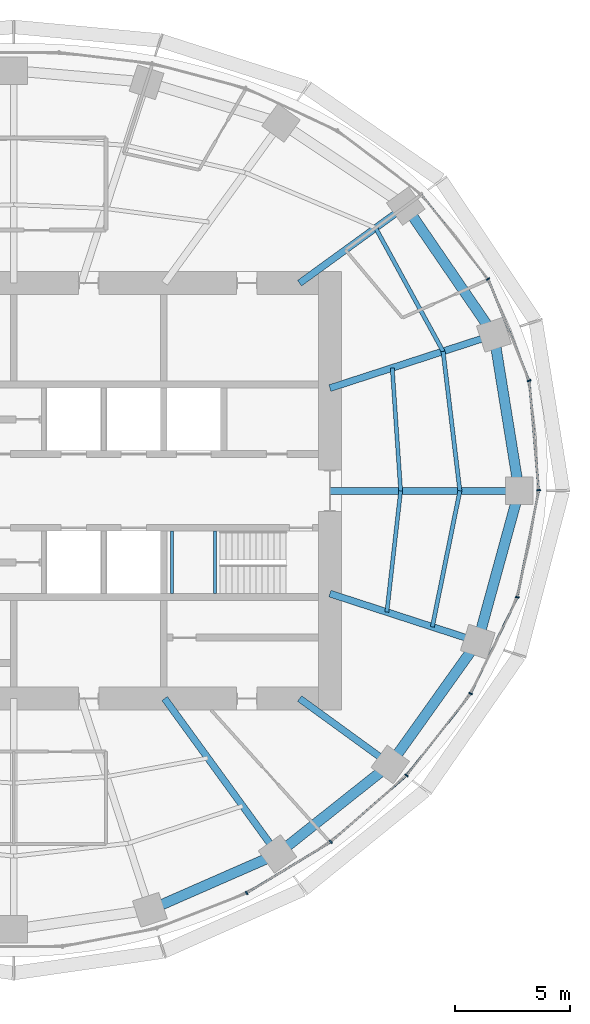
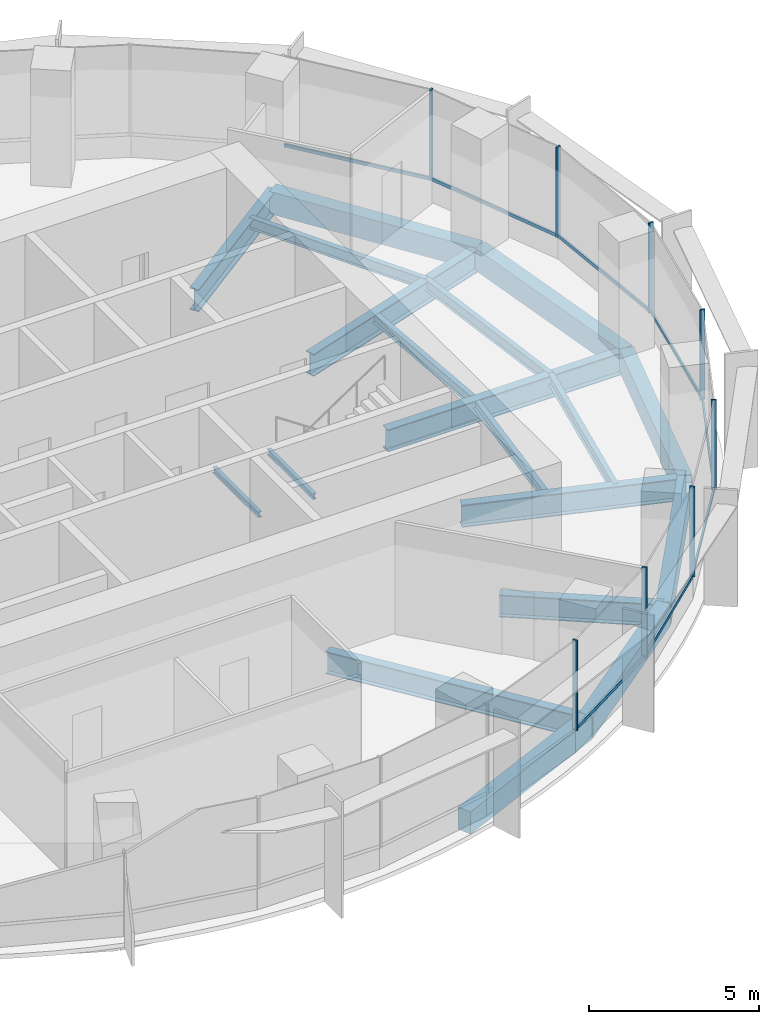
# One storey, part 5 of 13: 19 beams, 16 members, 2 elements without a shape of their own.
"""IFC4 building model written with IfcOpenShell, lengths in metres."""

from ifc_helpers import new_model, si_unit, direction, frame, origin, origin_2d, place, context, subcontext, project, spatial, rectangle, i_section, extrude, material, material_profile, profile_set, type_object, element, aggregate, save


model = new_model("IFC4")

# Units and contexts
model_context = context("Model", 3, precision=1e-05, world=origin(), true_north=direction((0.0, 1.0)))
body_context = subcontext(model_context, "Body", "Model", "MODEL_VIEW")
ifc_project = project(units=[si_unit("LENGTHUNIT", "METRE"), si_unit("AREAUNIT", "SQUARE_METRE"), si_unit("VOLUMEUNIT", "CUBIC_METRE"), si_unit("PLANEANGLEUNIT", "RADIAN"), si_unit("MASSUNIT", "GRAM", prefix="KILO")], contexts=[model_context])

# Site, building, storey
site_placement = place(None, origin())
site = spatial("IfcSite", under=ifc_project, at=site_placement, CompositionType="ELEMENT")
building_placement = place(site_placement, origin())
building = spatial("IfcBuilding", under=site, at=building_placement, Name="Marramba Exchange Tower", CompositionType="ELEMENT")
storey_placement = place(building_placement, frame((0.0, 0.0, 264.39990234375)))
storey = spatial("IfcBuildingStorey", under=building, at=storey_placement, Name="L64", CompositionType="ELEMENT", Elevation=264.39990234375)

# Curtain wall, members
ifc_material_1 = material(Name="Aluminium framing, bronze anodised", Category="aluminium")
curtain_wall_type = type_object("IfcCurtainWallType", Name="Executive floor ribbon curtain wall", PredefinedType="USERDEFINED", material=ifc_material_1)
curtain_wall_1_placement = place(storey_placement, origin())
curtain_wall_1 = element("IfcCurtainWall", 1, at=curtain_wall_1_placement, inside=storey, type_object=curtain_wall_type, Name="Curtain wall CW5 L64 F01-F05", ObjectType="RIBBON CURTAIN WALL", PredefinedType="USERDEFINED")
ifc_material_2 = material(Name="Aluminium mullion, bronze anodised", Category="aluminium")
ifc_material_profile_1 = material_profile(ifc_material_2, rectangle(XDim=0.159912109375, YDim=0.06005859375, at=origin_2d()), Name="CW5 mullion 60x160")
ifc_profile_set_1 = profile_set([ifc_material_profile_1], Name="Aluminium mullion, bronze anodised")
member_type_1 = type_object("IfcMemberType", Name="Executive floor ribbon curtain wall mullion", PredefinedType="MULLION", material=ifc_profile_set_1)
member_1_placement = place(storey_placement, frame((22.747314453125, 0.02978515625, 0.800048828125), z_axis=(0.0, 0.0, 1.0), x_axis=(-0.996331816632, -0.085574009881, 0.0)))
member_1 = element("IfcMember", 2, at=member_1_placement, type_object=member_type_1, Name="CW5 mullion 1", PredefinedType="MULLION", context=body_context, shape_type="SweptSolid", body=[
    extrude(rectangle(XDim=0.159912109375, YDim=0.06005859375, at=origin_2d()), origin(), (0.0, 0.0, 1.0), 3.239990234375),
])
member_2_placement = place(storey_placement, frame((22.330810546875, 4.77685546875, 0.800048828125), z_axis=(0.0, 0.0, 1.0), x_axis=(-0.927838139977, -0.372983090774, 0.0)))
member_2 = element("IfcMember", 3, at=member_2_placement, type_object=member_type_1, Name="CW5 mullion 1", PredefinedType="MULLION", context=body_context, shape_type="SweptSolid", body=[
    extrude(rectangle(XDim=0.159912109375, YDim=0.06005859375, at=origin_2d()), origin(), (0.0, 0.0, 1.0), 3.239990234375),
])
member_3_placement = place(storey_placement, frame((20.551025390625, 9.181884765625, 0.800048828125), z_axis=(0.0, 0.0, 1.0), x_axis=(-0.786002861604, -0.618222857512, 0.0)))
member_3 = element("IfcMember", 4, at=member_3_placement, type_object=member_type_1, Name="CW5 mullion 1", PredefinedType="MULLION", context=body_context, shape_type="SweptSolid", body=[
    extrude(rectangle(XDim=0.159912109375, YDim=0.06005859375, at=origin_2d()), origin(), (0.0, 0.0, 1.0), 3.239990234375),
])

curtain_wall_2_placement = place(storey_placement, origin())
curtain_wall_2 = element("IfcCurtainWall", 5, at=curtain_wall_2_placement, inside=storey, type_object=curtain_wall_type, Name="Curtain wall CW5 L64 F26-F30", ObjectType="RIBBON CURTAIN WALL", PredefinedType="USERDEFINED")
member_4_placement = place(storey_placement, frame((10.09619140625, -17.42724609375, 0.800048828125), z_axis=(0.0, 0.0, 1.0), x_axis=(-0.519115121209, 0.854704329539, 0.0)))
member_4 = element("IfcMember", 6, at=member_4_placement, type_object=member_type_1, Name="CW5 mullion 1", PredefinedType="MULLION", context=body_context, shape_type="SweptSolid", body=[
    extrude(rectangle(XDim=0.159912109375, YDim=0.06005859375, at=origin_2d()), origin(), (0.0, 0.0, 1.0), 3.239990234375),
])
member_5_placement = place(storey_placement, frame((13.736083984375, -15.21044921875, 0.800048828125), z_axis=(0.0, 0.0, 1.0), x_axis=(-0.658305290779, 0.752751050569, 0.0)))
member_5 = element("IfcMember", 7, at=member_5_placement, type_object=member_type_1, Name="CW5 mullion 1", PredefinedType="MULLION", context=body_context, shape_type="SweptSolid", body=[
    extrude(rectangle(XDim=0.159912109375, YDim=0.06005859375, at=origin_2d()), origin(), (0.0, 0.0, 1.0), 3.239990234375),
])
member_6_placement = place(storey_placement, frame((17.021484375, -12.329833984375, 0.800048828125), z_axis=(0.0, 0.0, 1.0), x_axis=(-0.78594954734, 0.618290634763, 0.0)))
member_6 = element("IfcMember", 8, at=member_6_placement, type_object=member_type_1, Name="CW5 mullion 1", PredefinedType="MULLION", context=body_context, shape_type="SweptSolid", body=[
    extrude(rectangle(XDim=0.159912109375, YDim=0.06005859375, at=origin_2d()), origin(), (0.0, 0.0, 1.0), 3.239990234375),
])
member_7_placement = place(storey_placement, frame((19.802978515625, -8.783935546875, 0.800048828125), z_axis=(0.0, 0.0, 1.0), x_axis=(-0.89969718031, 0.436514585945, 0.0)))
member_7 = element("IfcMember", 9, at=member_7_placement, type_object=member_type_1, Name="CW5 mullion 1", PredefinedType="MULLION", context=body_context, shape_type="SweptSolid", body=[
    extrude(rectangle(XDim=0.159912109375, YDim=0.06005859375, at=origin_2d()), origin(), (0.0, 0.0, 1.0), 3.239990234375),
])
member_8_placement = place(storey_placement, frame((21.82080078125, -4.607421875, 0.800048828125), z_axis=(0.0, 0.0, 1.0), x_axis=(-0.980268514856, 0.19767053089, 0.0)))
member_8 = element("IfcMember", 10, at=member_8_placement, type_object=member_type_1, Name="CW5 mullion 1", PredefinedType="MULLION", context=body_context, shape_type="SweptSolid", body=[
    extrude(rectangle(XDim=0.159912109375, YDim=0.06005859375, at=origin_2d()), origin(), (0.0, 0.0, 1.0), 3.239990234375),
])

# Member
ifc_material_3 = material(Name="Aluminium transom, bronze anodised", Category="aluminium")
ifc_material_profile_2 = material_profile(ifc_material_3, rectangle(XDim=0.06005859375, YDim=0.1201171875, at=origin_2d()), Name="CW5 transom 60x120")
ifc_profile_set_2 = profile_set([ifc_material_profile_2], Name="Aluminium transom, bronze anodised")
member_type_2 = type_object("IfcMemberType", Name="Executive floor ribbon curtain wall transom", PredefinedType="USERDEFINED", material=ifc_profile_set_2)
member_9_placement = place(storey_placement, frame((22.744873046875, 0.059814453125, 0.830078125), z_axis=(-0.085590935521, 0.99633036276, 0.0), x_axis=(-0.99633036276, -0.085590935521, 0.0)))
member_9 = element("IfcMember", 11, at=member_9_placement, type_object=member_type_2, Name="CW5 sill transom", ObjectType="TRANSOM", PredefinedType="USERDEFINED", context=body_context, shape_type="SweptSolid", body=[
    extrude(rectangle(XDim=0.06005859375, YDim=0.1201171875, at=origin_2d()), origin(), (0.0, 0.0, 1.0), 4.70654296875),
])

member_10_placement = place(storey_placement, frame((22.31982421875, 4.8046875, 0.830078125), z_axis=(-0.37301385018, 0.927825774364, 0.0), x_axis=(-0.927825774364, -0.37301385018, 0.0)))
member_10 = element("IfcMember", 12, at=member_10_placement, type_object=member_type_2, Name="CW5 sill transom", ObjectType="TRANSOM", PredefinedType="USERDEFINED", context=body_context, shape_type="SweptSolid", body=[
    extrude(rectangle(XDim=0.06005859375, YDim=0.1201171875, at=origin_2d()), origin(), (0.0, 0.0, 1.0), 4.692138671875),
])

member_11_placement = place(storey_placement, frame((20.532470703125, 9.205322265625, 0.830078125), z_axis=(-0.618203819414, 0.78601783546, 0.0), x_axis=(-0.78601783546, -0.618203819414, 0.0)))
member_11 = element("IfcMember", 13, at=member_11_placement, type_object=member_type_2, Name="CW5 sill transom", ObjectType="TRANSOM", PredefinedType="USERDEFINED", context=body_context, shape_type="SweptSolid", body=[
    extrude(rectangle(XDim=0.06005859375, YDim=0.1201171875, at=origin_2d()), origin(), (0.0, 0.0, 1.0), 4.625),
])

aggregate(curtain_wall_1, [member_1, member_9, member_2, member_10, member_3, member_11])

member_12_placement = place(storey_placement, frame((10.121826171875, -17.41162109375, 0.830078125), z_axis=(0.854701897511, 0.519119125434, 0.0), x_axis=(-0.519119125434, 0.854701897511, 0.0)))
member_12 = element("IfcMember", 14, at=member_12_placement, type_object=member_type_2, Name="CW5 sill transom", ObjectType="TRANSOM", PredefinedType="USERDEFINED", context=body_context, shape_type="SweptSolid", body=[
    extrude(rectangle(XDim=0.06005859375, YDim=0.1201171875, at=origin_2d()), origin(), (0.0, 0.0, 1.0), 4.2021484375),
])

member_13_placement = place(storey_placement, frame((13.758544921875, -15.19091796875, 0.830078125), z_axis=(0.752741590247, 0.658316108198, 0.0), x_axis=(-0.658316108198, 0.752741590247, 0.0)))
member_13 = element("IfcMember", 15, at=member_13_placement, type_object=member_type_2, Name="CW5 sill transom", ObjectType="TRANSOM", PredefinedType="USERDEFINED", context=body_context, shape_type="SweptSolid", body=[
    extrude(rectangle(XDim=0.06005859375, YDim=0.1201171875, at=origin_2d()), origin(), (0.0, 0.0, 1.0), 4.31005859375),
])

member_14_placement = place(storey_placement, frame((17.0400390625, -12.30615234375, 0.830078125), z_axis=(0.618320881677, 0.785925751762, 0.0), x_axis=(-0.785925751762, 0.618320881677, 0.0)))
member_14 = element("IfcMember", 16, at=member_14_placement, type_object=member_type_2, Name="CW5 sill transom", ObjectType="TRANSOM", PredefinedType="USERDEFINED", context=body_context, shape_type="SweptSolid", body=[
    extrude(rectangle(XDim=0.06005859375, YDim=0.1201171875, at=origin_2d()), origin(), (0.0, 0.0, 1.0), 4.447021484375),
])

member_15_placement = place(storey_placement, frame((19.81591796875, -8.757080078125, 0.830078125), z_axis=(0.436519399678, 0.899694844769, 0.0), x_axis=(-0.899694844769, 0.436519399678, 0.0)))
member_15 = element("IfcMember", 17, at=member_15_placement, type_object=member_type_2, Name="CW5 sill transom", ObjectType="TRANSOM", PredefinedType="USERDEFINED", context=body_context, shape_type="SweptSolid", body=[
    extrude(rectangle(XDim=0.06005859375, YDim=0.1201171875, at=origin_2d()), origin(), (0.0, 0.0, 1.0), 4.579345703125),
])

member_16_placement = place(storey_placement, frame((21.826904296875, -4.578125, 0.830078125), z_axis=(0.197654002556, 0.980271847639, 0.0), x_axis=(-0.980271847639, 0.197654002556, 0.0)))
member_16 = element("IfcMember", 18, at=member_16_placement, type_object=member_type_2, Name="CW5 sill transom", ObjectType="TRANSOM", PredefinedType="USERDEFINED", context=body_context, shape_type="SweptSolid", body=[
    extrude(rectangle(XDim=0.06005859375, YDim=0.1201171875, at=origin_2d()), origin(), (0.0, 0.0, 1.0), 4.670166015625),
])

aggregate(curtain_wall_2, [member_4, member_12, member_5, member_13, member_6, member_14, member_7, member_15, member_8, member_16])

# Beams
ifc_material_4 = material(Name="Steel AS/NZS 3679.1 grade 300", Category="steel")
ifc_material_profile_3 = material_profile(ifc_material_4, i_section(OverallWidth=0.1708984375, OverallDepth=0.35595703125, WebThickness=0.00732421875, FlangeThickness=0.011474609375, FilletRadius=0.011474609375, at=origin_2d()), Name="360UB50.7")
ifc_profile_set_3 = profile_set([ifc_material_profile_3], Name="Steel AS/NZS 3679.1 grade 300")
beam_type_1 = type_object("IfcBeamType", Name="Floor joist 360UB50.7", PredefinedType="JOIST", material=ifc_profile_set_3)
beam_1_placement = place(storey_placement, frame((16.7666015625, 0.0, -0.337890625), z_axis=(-0.068096259546, 0.99767875563, 0.0), x_axis=(-0.99767875563, -0.068096259546, 0.0)))
element("IfcBeam", 19, at=beam_1_placement, inside=storey, type_object=beam_type_1, Name="Joist L64 bay 01 row 1", PredefinedType="JOIST", context=body_context, shape_type="SweptSolid", body=[
    extrude(i_section(OverallWidth=0.1708984375, OverallDepth=0.35595703125, WebThickness=0.00732421875, FlangeThickness=0.011474609375, FilletRadius=0.011474609375, at=origin_2d()), origin(), (0.0, 0.0, 1.0), 5.342041015625),
])
beam_2_placement = place(storey_placement, frame((16.169677734375, -5.25390625, -0.337890625), z_axis=(0.112888968594, 0.993607609054, 0.0), x_axis=(-0.993607609054, 0.112888968594, 0.0)))
element("IfcBeam", 20, at=beam_2_placement, inside=storey, type_object=beam_type_1, Name="Joist L64 bay 20 row 1", PredefinedType="JOIST", context=body_context, shape_type="SweptSolid", body=[
    extrude(i_section(OverallWidth=0.1708984375, OverallDepth=0.35595703125, WebThickness=0.00732421875, FlangeThickness=0.011474609375, FilletRadius=0.011474609375, at=origin_2d()), origin(), (0.0, 0.0, 1.0), 5.28759765625),
])
ifc_material_profile_4 = material_profile(ifc_material_4, i_section(OverallWidth=0.177978515625, OverallDepth=0.403076171875, WebThickness=0.007568359375, FlangeThickness=0.010986328125, FilletRadius=0.011474609375, at=origin_2d()), Name="410UB53.7")
ifc_profile_set_4 = profile_set([ifc_material_profile_4], Name="Steel AS/NZS 3679.1 grade 300")
beam_type_2 = type_object("IfcBeamType", Name="Floor joist 410UB53.7", PredefinedType="JOIST", material=ifc_profile_set_4)
beam_3_placement = place(storey_placement, frame((19.333251953125, 0.0, -0.361328125), z_axis=(-0.119523078538, 0.992831422597, 0.0), x_axis=(-0.992831422597, -0.119523078538, 0.0)))
element("IfcBeam", 21, at=beam_3_placement, inside=storey, type_object=beam_type_2, Name="Joist L64 bay 01 row 2", PredefinedType="JOIST", context=body_context, shape_type="SweptSolid", body=[
    extrude(i_section(OverallWidth=0.177978515625, OverallDepth=0.403076171875, WebThickness=0.007568359375, FlangeThickness=0.010986328125, FilletRadius=0.011474609375, at=origin_2d()), origin(), (0.0, 0.0, 1.0), 6.089111328125),
])
beam_4_placement = place(storey_placement, frame((18.60546875, 6.04541015625, -0.361328125), z_axis=(-0.479584443791, 0.877495732909, 0.0), x_axis=(-0.877495732909, -0.479584443791, 0.0)))
element("IfcBeam", 22, at=beam_4_placement, inside=storey, type_object=beam_type_2, Name="Joist L64 bay 02 row 2", PredefinedType="JOIST", context=body_context, shape_type="SweptSolid", body=[
    extrude(i_section(OverallWidth=0.177978515625, OverallDepth=0.403076171875, WebThickness=0.007568359375, FlangeThickness=0.010986328125, FilletRadius=0.011474609375, at=origin_2d()), origin(), (0.0, 0.0, 1.0), 6.094970703125),
])
beam_5_placement = place(storey_placement, frame((18.1396484375, -5.893798828125, -0.361328125), z_axis=(0.198489047047, 0.980103105904, 0.0), x_axis=(-0.980103105904, 0.198489047047, 0.0)))
element("IfcBeam", 23, at=beam_5_placement, inside=storey, type_object=beam_type_2, Name="Joist L64 bay 20 row 2", PredefinedType="JOIST", context=body_context, shape_type="SweptSolid", body=[
    extrude(i_section(OverallWidth=0.177978515625, OverallDepth=0.403076171875, WebThickness=0.007568359375, FlangeThickness=0.010986328125, FilletRadius=0.011474609375, at=origin_2d()), origin(), (0.0, 0.0, 1.0), 6.013427734375),
])
ifc_material_5 = material(Name="Steel AS/NZS 3679.2 grade 300", Category="steel")
ifc_material_profile_5 = material_profile(ifc_material_5, i_section(OverallWidth=0.300048828125, OverallDepth=0.800048828125, WebThickness=0.013916015625, FlangeThickness=0.031982421875, at=origin_2d()), Name="800WB192")
ifc_profile_set_5 = profile_set([ifc_material_profile_5], Name="Steel AS/NZS 3679.2 grade 300")
beam_type_3 = type_object("IfcBeamType", Name="Radial girder 800WB192", PredefinedType="BEAM", material=ifc_profile_set_5)
beam_6_placement = place(storey_placement, frame((13.699951171875, 0.0, -0.559814453125), z_axis=(1.0, 0.0, 0.0), x_axis=(0.0, 1.0, 0.0)))
element("IfcBeam", 24, at=beam_6_placement, inside=storey, type_object=beam_type_3, Name="Radial girder L64 TC01", PredefinedType="BEAM", context=body_context, shape_type="SweptSolid", body=[
    extrude(i_section(OverallWidth=0.300048828125, OverallDepth=0.800048828125, WebThickness=0.013916015625, FlangeThickness=0.031982421875, at=origin_2d()), origin(), (0.0, 0.0, 1.0), 8.199951171875),
])
beam_7_placement = place(storey_placement, frame((13.699951171875, 4.451416015625, -0.559814453125), z_axis=(0.951059990189, 0.309006302624, 0.0), x_axis=(-0.309006302624, 0.951059990189, 0.0)))
element("IfcBeam", 25, at=beam_7_placement, inside=storey, type_object=beam_type_3, Name="Radial girder L64 TC02", PredefinedType="BEAM", context=body_context, shape_type="SweptSolid", body=[
    extrude(i_section(OverallWidth=0.300048828125, OverallDepth=0.800048828125, WebThickness=0.013916015625, FlangeThickness=0.031982421875, at=origin_2d()), origin(), (0.0, 0.0, 1.0), 7.47412109375),
])
beam_8_placement = place(storey_placement, frame((12.387451171875, 9.0, -0.559814453125), z_axis=(0.809025746925, 0.587773205252, 0.0), x_axis=(-0.587773205252, 0.809025746925, 0.0)))
element("IfcBeam", 26, at=beam_8_placement, inside=storey, type_object=beam_type_3, Name="Radial girder L64 TC03", PredefinedType="BEAM", context=body_context, shape_type="SweptSolid", body=[
    extrude(i_section(OverallWidth=0.300048828125, OverallDepth=0.800048828125, WebThickness=0.013916015625, FlangeThickness=0.031982421875, at=origin_2d()), origin(), (0.0, 0.0, 1.0), 5.683837890625),
])
beam_9_placement = place(storey_placement, frame((6.538818359375, -9.0, -0.559814453125), z_axis=(0.587787877172, -0.809015087282, 0.0), x_axis=(0.809015087282, 0.587787877172, 0.0)))
element("IfcBeam", 27, at=beam_9_placement, inside=storey, type_object=beam_type_3, Name="Radial girder L64 TC18", PredefinedType="BEAM", context=body_context, shape_type="SweptSolid", body=[
    extrude(i_section(OverallWidth=0.300048828125, OverallDepth=0.800048828125, WebThickness=0.013916015625, FlangeThickness=0.031982421875, at=origin_2d()), origin(), (0.0, 0.0, 1.0), 8.322021484375),
])
beam_10_placement = place(storey_placement, frame((12.387451171875, -9.0, -0.559814453125), z_axis=(0.809025189606, -0.58777397236, 0.0), x_axis=(0.58777397236, 0.809025189606, 0.0)))
element("IfcBeam", 28, at=beam_10_placement, inside=storey, type_object=beam_type_3, Name="Radial girder L64 TC19", PredefinedType="BEAM", context=body_context, shape_type="SweptSolid", body=[
    extrude(i_section(OverallWidth=0.300048828125, OverallDepth=0.800048828125, WebThickness=0.013916015625, FlangeThickness=0.031982421875, at=origin_2d()), origin(), (0.0, 0.0, 1.0), 4.855224609375),
])
beam_11_placement = place(storey_placement, frame((13.699951171875, -4.451416015625, -0.559814453125), z_axis=(0.951057759669, -0.309013167637, 0.0), x_axis=(0.309013167637, 0.951057759669, 0.0)))
element("IfcBeam", 29, at=beam_11_placement, inside=storey, type_object=beam_type_3, Name="Radial girder L64 TC20", PredefinedType="BEAM", context=body_context, shape_type="SweptSolid", body=[
    extrude(i_section(OverallWidth=0.300048828125, OverallDepth=0.800048828125, WebThickness=0.013916015625, FlangeThickness=0.031982421875, at=origin_2d()), origin(), (0.0, 0.0, 1.0), 6.7392578125),
])
ifc_material_6 = material(Name="Concrete N50", Category="concrete")
ifc_material_profile_6 = material_profile(ifc_material_6, rectangle(XDim=0.449951171875, YDim=0.800048828125, at=origin_2d()), Name="RC 450x800")
ifc_profile_set_6 = profile_set([ifc_material_profile_6], Name="Concrete N50")
beam_type_4 = type_object("IfcBeamType", Name="Ring beam RC 450x800 N50", PredefinedType="SPANDREL", material=ifc_profile_set_6)
beam_12_placement = place(storey_placement, frame((21.89990234375, 0.0, -0.559814453125), z_axis=(-0.159384865399, 0.987216523708, 0.0), x_axis=(-0.987216523708, -0.159384865399, 0.0)))
element("IfcBeam", 30, at=beam_12_placement, inside=storey, type_object=beam_type_4, Name="Ring beam L64 TC01-TC02", PredefinedType="SPANDREL", context=body_context, shape_type="SweptSolid", body=[
    extrude(rectangle(XDim=0.449951171875, YDim=0.800048828125, at=origin_2d()), origin(), (0.0, 0.0, 1.0), 6.8486328125),
])
beam_13_placement = place(storey_placement, frame((20.808349609375, 6.760986328125, -0.559814453125), z_axis=(-0.56516002054, 0.824981303535, 0.0), x_axis=(-0.824981303535, -0.56516002054, 0.0)))
element("IfcBeam", 31, at=beam_13_placement, inside=storey, type_object=beam_type_4, Name="Ring beam L64 TC02-TC03", PredefinedType="SPANDREL", context=body_context, shape_type="SweptSolid", body=[
    extrude(rectangle(XDim=0.449951171875, YDim=0.800048828125, at=origin_2d()), origin(), (0.0, 0.0, 1.0), 6.763671875),
])
beam_14_placement = place(storey_placement, frame((5.899658203125, -18.156982421875, -0.559814453125), z_axis=(0.915876892158, 0.4014592363, 0.0), x_axis=(-0.4014592363, 0.915876892158, 0.0)))
element("IfcBeam", 32, at=beam_14_placement, inside=storey, type_object=beam_type_4, Name="Ring beam L64 TC17-TC18", PredefinedType="SPANDREL", context=body_context, shape_type="SweptSolid", body=[
    extrude(rectangle(XDim=0.449951171875, YDim=0.800048828125, at=origin_2d()), origin(), (0.0, 0.0, 1.0), 6.038818359375),
])
beam_15_placement = place(storey_placement, frame((11.430419921875, -15.732666015625, -0.559814453125), z_axis=(0.783139438128, 0.621846138887, 0.0), x_axis=(-0.621846138887, 0.783139438128, 0.0)))
element("IfcBeam", 33, at=beam_15_placement, inside=storey, type_object=beam_type_4, Name="Ring beam L64 TC18-TC19", PredefinedType="SPANDREL", context=body_context, shape_type="SweptSolid", body=[
    extrude(rectangle(XDim=0.449951171875, YDim=0.800048828125, at=origin_2d()), origin(), (0.0, 0.0, 1.0), 6.23779296875),
])
beam_16_placement = place(storey_placement, frame((16.3154296875, -11.853759765625, -0.559814453125), z_axis=(0.580637181111, 0.814162430914, 0.0), x_axis=(-0.814162430914, 0.580637181111, 0.0)))
element("IfcBeam", 34, at=beam_16_placement, inside=storey, type_object=beam_type_4, Name="Ring beam L64 TC19-TC20", PredefinedType="SPANDREL", context=body_context, shape_type="SweptSolid", body=[
    extrude(rectangle(XDim=0.449951171875, YDim=0.800048828125, at=origin_2d()), origin(), (0.0, 0.0, 1.0), 6.5341796875),
])
beam_17_placement = place(storey_placement, frame((20.109375, -6.533935546875, -0.559814453125), z_axis=(0.264291166956, 0.964442937176, 0.0), x_axis=(-0.964442937176, 0.264291166956, 0.0)))
element("IfcBeam", 35, at=beam_17_placement, inside=storey, type_object=beam_type_4, Name="Ring beam L64 TC20-TC01", PredefinedType="SPANDREL", context=body_context, shape_type="SweptSolid", body=[
    extrude(rectangle(XDim=0.449951171875, YDim=0.800048828125, at=origin_2d()), origin(), (0.0, 0.0, 1.0), 6.77490234375),
])
ifc_material_profile_7 = material_profile(ifc_material_4, i_section(OverallWidth=0.133056640625, OverallDepth=0.202880859375, WebThickness=0.005859375, FlangeThickness=0.0078125, FilletRadius=0.0087890625, at=origin_2d()), Name="200UB25.4")
ifc_profile_set_7 = profile_set([ifc_material_profile_7], Name="Steel AS/NZS 3679.1 grade 300")
beam_type_5 = type_object("IfcBeamType", Name="Stair landing beam 200UB25.4", PredefinedType="BEAM", material=ifc_profile_set_7)
for number, where, z_axis, x_axis, name in (
    (36, (6.866455078125, -4.449951171875, 1.798583984375), (0.0, 1.0, 0.0), (-1.0, 0.0, 0.0), "Stair landing beam SLB1 ST2 L64 1"),
    (37, (8.723388671875, -4.449951171875, 1.798583984375), (0.0, 1.0, 0.0), (-1.0, 0.0, 0.0), "Stair landing beam SLB1 ST2 L64 2"),
):
    element("IfcBeam", number, at=place(storey_placement, frame(where, z_axis=z_axis, x_axis=x_axis)), inside=storey, type_object=beam_type_5, Name=name, PredefinedType="BEAM", context=body_context, shape_type="SweptSolid", body=[
        extrude(i_section(OverallWidth=0.133056640625, OverallDepth=0.202880859375, WebThickness=0.005859375, FlangeThickness=0.0078125, FilletRadius=0.0087890625, at=origin_2d()), origin(), (0.0, 0.0, 1.0), 2.699951171875),
    ])

save(model, "model.ifc")
